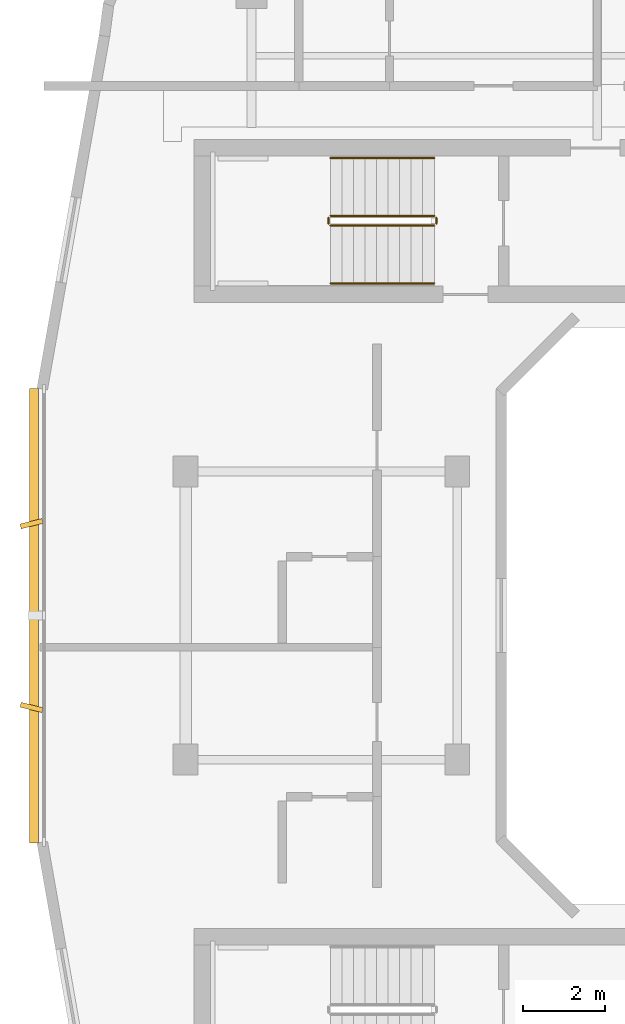
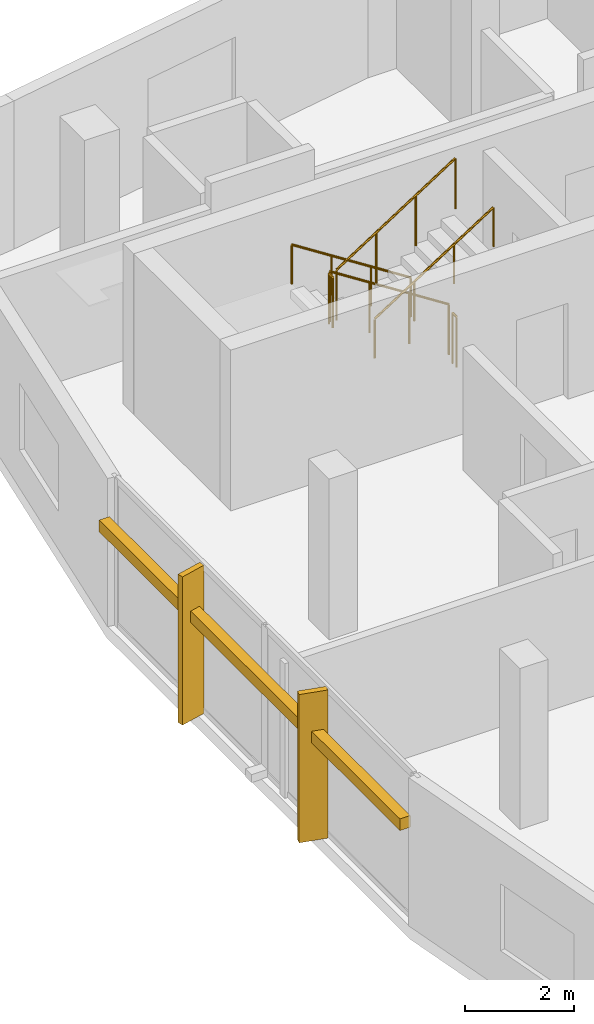
# One storey, part 9 of 10: 6 railings, 3 shading devices.
"""IFC4 building model written with IfcOpenShell, lengths in metres."""

from ifc_helpers import new_model, si_unit, derived_unit, direction, frame, origin, origin_2d, place, context, subcontext, project, spatial, rectangle, circle, extrude, material, type_object, element, save


model = new_model("IFC4")

# Units and contexts
model_context = context("Model", 3, precision=1e-05, world=origin(), true_north=direction((0.0, 1.0)))
body_context = subcontext(model_context, "Body", "Model", "MODEL_VIEW")
ifc_project = project(units=[si_unit("LENGTHUNIT", "METRE"), si_unit("AREAUNIT", "SQUARE_METRE"), si_unit("VOLUMEUNIT", "CUBIC_METRE"), si_unit("PLANEANGLEUNIT", "RADIAN"), si_unit("MASSUNIT", "GRAM", prefix="KILO"), derived_unit("THERMALTRANSMITTANCEUNIT", [(si_unit("POWERUNIT", "WATT"), 1), (si_unit("LENGTHUNIT", "METRE"), -2), (si_unit("THERMODYNAMICTEMPERATUREUNIT", "KELVIN"), -1)])], contexts=[model_context])

# Site, building, storey
site_placement = place(None, origin())
site = spatial("IfcSite", under=ifc_project, at=site_placement, CompositionType="ELEMENT")
building_placement = place(site_placement, origin())
building = spatial("IfcBuilding", under=site, at=building_placement, Name="Kivonza Crest Hotel", CompositionType="ELEMENT")
storey_placement = place(building_placement, frame((0.0, 0.0, 243.199951171875)))
storey = spatial("IfcBuildingStorey", under=building, at=storey_placement, Name="L66", CompositionType="ELEMENT", Elevation=243.199951171875)

# Railings
ifc_material_1 = material(Name="Brushed stainless steel handrail", Category="steel")
railing_type_1 = type_object("IfcRailingType", Name="RL-HAND-900", PredefinedType="HANDRAIL", material=ifc_material_1)
railing_1_placement = place(storey_placement, frame((12.239990234375, 36.110107421875, 0.179931640625)))
element("IfcRailing", 1, at=railing_1_placement, inside=storey, type_object=railing_type_1, Name="L66 ST-T1-N stair handrail 1", PredefinedType="HANDRAIL", context=body_context, shape_type="SweptSolid", body=[
    extrude(circle(Radius=0.02392578125, at=origin_2d()), frame((0.0, 0.0, 0.8759765625), z_axis=(-0.841162588446, 0.0, 0.540782303519), x_axis=(0.0, -1.0, 0.0)), (0.0, 0.0, 1.0), 2.995849609375),
    extrude(circle(Radius=0.02099609375, at=origin_2d()), origin(), (0.0, 0.0, 1.0), 0.851806640625),
    extrude(circle(Radius=0.02099609375, at=origin_2d()), frame((-0.840087890625, 0.0, 0.5400390625)), (0.0, 0.0, 1.0), 0.851806640625),
    extrude(circle(Radius=0.02099609375, at=origin_2d()), frame((-1.679931640625, 0.0, 1.080078125)), (0.0, 0.0, 1.0), 0.851806640625),
    extrude(circle(Radius=0.02099609375, at=origin_2d()), frame((-2.52001953125, 0.0, 1.6201171875)), (0.0, 0.0, 1.0), 0.851806640625),
])
railing_2_placement = place(storey_placement, frame((9.719970703125, 33.070068359375, 1.97998046875)))
element("IfcRailing", 2, at=railing_2_placement, inside=storey, type_object=railing_type_1, Name="L66 ST-T1-N stair handrail 2", PredefinedType="HANDRAIL", context=body_context, shape_type="SweptSolid", body=[
    extrude(circle(Radius=0.02392578125, at=origin_2d()), frame((0.0, 0.0, 0.8759765625), z_axis=(0.841162588446, 0.0, 0.540782303519), x_axis=(0.0, 1.0, 0.0)), (0.0, 0.0, 1.0), 2.995849609375),
    extrude(circle(Radius=0.02099609375, at=origin_2d()), origin(), (0.0, 0.0, 1.0), 0.851806640625),
    extrude(circle(Radius=0.02099609375, at=origin_2d()), frame((0.840087890625, 0.0, 0.5400390625)), (0.0, 0.0, 1.0), 0.851806640625),
    extrude(circle(Radius=0.02099609375, at=origin_2d()), frame((1.679931640625, 0.0, 1.080078125)), (0.0, 0.0, 1.0), 0.851806640625),
    extrude(circle(Radius=0.02099609375, at=origin_2d()), frame((2.52001953125, 0.0, 1.6201171875)), (0.0, 0.0, 1.0), 0.851806640625),
])
ifc_material_2 = material(Name="Painted steel balustrade", Category="steel")
railing_type_2 = type_object("IfcRailingType", Name="RL-STAIR-1150", PredefinedType="BALUSTRADE", material=ifc_material_2)
railing_3_placement = place(storey_placement, frame((12.239990234375, 34.7099609375, 0.179931640625)))
element("IfcRailing", 3, at=railing_3_placement, inside=storey, type_object=railing_type_2, Name="L66 ST-T1-N stair guard 1", PredefinedType="BALUSTRADE", context=body_context, shape_type="SweptSolid", body=[
    extrude(circle(Radius=0.02392578125, at=origin_2d()), frame((0.0, 0.0, 1.1259765625), z_axis=(-0.841162588446, 0.0, 0.540782303519), x_axis=(0.0, -1.0, 0.0)), (0.0, 0.0, 1.0), 2.995849609375),
    extrude(circle(Radius=0.02099609375, at=origin_2d()), origin(), (0.0, 0.0, 1.0), 1.101806640625),
    extrude(circle(Radius=0.02099609375, at=origin_2d()), frame((-0.840087890625, 0.0, 0.5400390625)), (0.0, 0.0, 1.0), 1.101806640625),
    extrude(circle(Radius=0.02099609375, at=origin_2d()), frame((-1.679931640625, 0.0, 1.080078125)), (0.0, 0.0, 1.0), 1.101806640625),
    extrude(circle(Radius=0.02099609375, at=origin_2d()), frame((-2.52001953125, 0.0, 1.6201171875)), (0.0, 0.0, 1.0), 1.101806640625),
])
railing_4_placement = place(storey_placement, frame((9.669921875, 34.659912109375, 1.800048828125)))
element("IfcRailing", 4, at=railing_4_placement, inside=storey, type_object=railing_type_2, Name="L66 ST-T1-N stair guard 2", PredefinedType="BALUSTRADE", context=body_context, shape_type="SweptSolid", body=[
    extrude(circle(Radius=0.02392578125, at=origin_2d()), frame((0.0, 0.0, 1.1259765625), z_axis=(0.0, -1.0, 0.0), x_axis=(1.0, 0.0, 0.0)), (0.0, 0.0, 1.0), 0.139892578125),
    extrude(circle(Radius=0.02099609375, at=origin_2d()), origin(), (0.0, 0.0, 1.0), 1.101806640625),
    extrude(circle(Radius=0.02099609375, at=origin_2d()), frame((0.0, -0.139892578125, 0.0)), (0.0, 0.0, 1.0), 1.101806640625),
])
railing_5_placement = place(storey_placement, frame((9.719970703125, 34.469970703125, 1.97998046875)))
element("IfcRailing", 5, at=railing_5_placement, inside=storey, type_object=railing_type_2, Name="L66 ST-T1-N stair guard 3", PredefinedType="BALUSTRADE", context=body_context, shape_type="SweptSolid", body=[
    extrude(circle(Radius=0.02392578125, at=origin_2d()), frame((0.0, 0.0, 1.1259765625), z_axis=(0.841162588446, 0.0, 0.540782303519), x_axis=(0.0, 1.0, 0.0)), (0.0, 0.0, 1.0), 2.995849609375),
    extrude(circle(Radius=0.02099609375, at=origin_2d()), origin(), (0.0, 0.0, 1.0), 1.101806640625),
    extrude(circle(Radius=0.02099609375, at=origin_2d()), frame((0.840087890625, 0.0, 0.5400390625)), (0.0, 0.0, 1.0), 1.101806640625),
    extrude(circle(Radius=0.02099609375, at=origin_2d()), frame((1.679931640625, 0.0, 1.080078125)), (0.0, 0.0, 1.0), 1.101806640625),
    extrude(circle(Radius=0.02099609375, at=origin_2d()), frame((2.52001953125, 0.0, 1.6201171875)), (0.0, 0.0, 1.0), 1.101806640625),
])
railing_6_placement = place(storey_placement, frame((12.2900390625, 34.659912109375, 0.0)))
element("IfcRailing", 6, at=railing_6_placement, inside=storey, type_object=railing_type_2, Name="L66 ST-T1-N stair guard 4", PredefinedType="BALUSTRADE", context=body_context, shape_type="SweptSolid", body=[
    extrude(circle(Radius=0.02392578125, at=origin_2d()), frame((0.0, 0.0, 1.1259765625), z_axis=(0.0, -1.0, 0.0), x_axis=(1.0, 0.0, 0.0)), (0.0, 0.0, 1.0), 0.139892578125),
    extrude(circle(Radius=0.02099609375, at=origin_2d()), origin(), (0.0, 0.0, 1.0), 1.101806640625),
    extrude(circle(Radius=0.02099609375, at=origin_2d()), frame((0.0, -0.139892578125, 0.0)), (0.0, 0.0, 1.0), 1.101806640625),
])

# Shading devices
ifc_material_3 = material(Name="Kiln-fired Nairobi red-ochre terracotta", Category="masonry")
shading_device_type_1 = type_object("IfcShadingDeviceType", Name="SH-BAGUETTE-300", PredefinedType="USERDEFINED", material=ifc_material_3)
shading_device_placement = place(storey_placement, frame((2.52001953125, 25.0, 2.19384765625), z_axis=(0.0, 0.0, 1.0), x_axis=(0.0, -1.0, 0.0)))
element("IfcShadingDevice", 7, at=shading_device_placement, inside=storey, type_object=shading_device_type_1, Name="L66 terracotta baguette screen CW-T1-L66-35", ObjectType="BAGUETTE", PredefinedType="USERDEFINED", context=body_context, shape_type="SweptSolid", body=[
    extrude(rectangle(XDim=11.0400390625, YDim=0.219970703125, at=origin_2d()), origin(), (0.0, 0.0, 1.0), 0.260009765625),
])
ifc_material_4 = material(Name="Kiln-fired terracotta over extruded aluminium spine", Category="masonry")
shading_device_type_2 = type_object("IfcShadingDeviceType", Name="SH-FIN-550", PredefinedType="USERDEFINED", material=ifc_material_4)
for number, where, z_axis, x_axis, name in (
    (8, (2.4599609375, 27.23193359375, 0.0), (0.0, 0.0, 1.0), (0.2419218956, -0.970295726276, 0.0), "L66 vertical solar shading fin CW-T1-L66-35-1"),
    (9, (2.4599609375, 22.76806640625, 0.0), (0.0, 0.0, 1.0), (-0.2419218956, -0.970295726276, 0.0), "L66 vertical solar shading fin CW-T1-L66-35-2"),
):
    element("IfcShadingDevice", number, at=place(storey_placement, frame(where, z_axis=z_axis, x_axis=x_axis)), inside=storey, type_object=shading_device_type_2, Name=name, ObjectType="FIN", PredefinedType="USERDEFINED", context=body_context, shape_type="SweptSolid", body=[
        extrude(rectangle(XDim=0.1201171875, YDim=0.550048828125, at=origin_2d()), origin(), (0.0, 0.0, 1.0), 3.320068359375),
    ])

save(model, "model.ifc")
